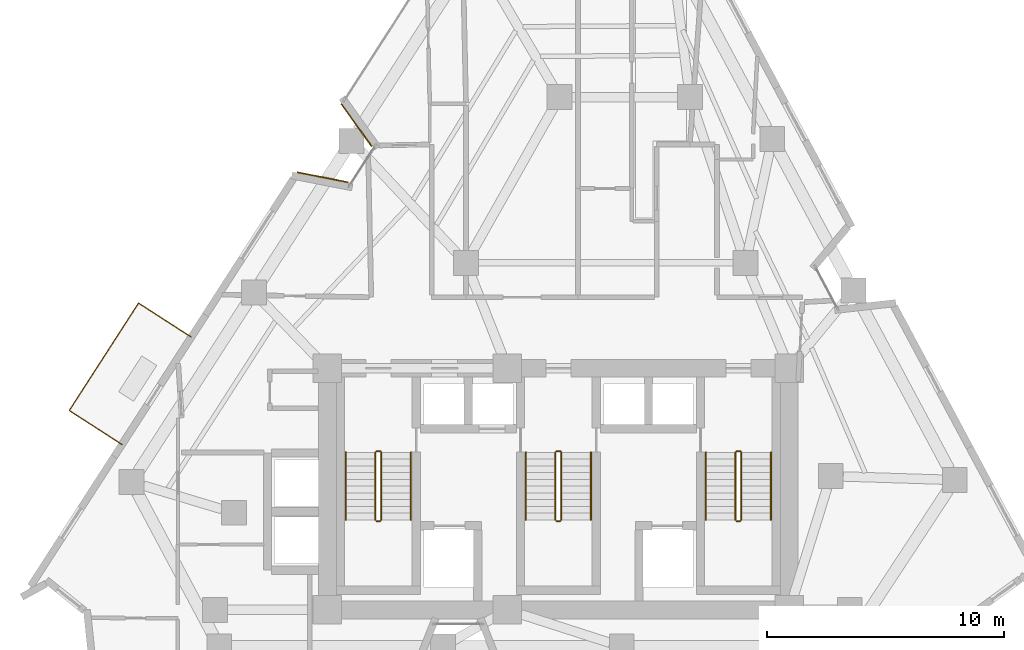
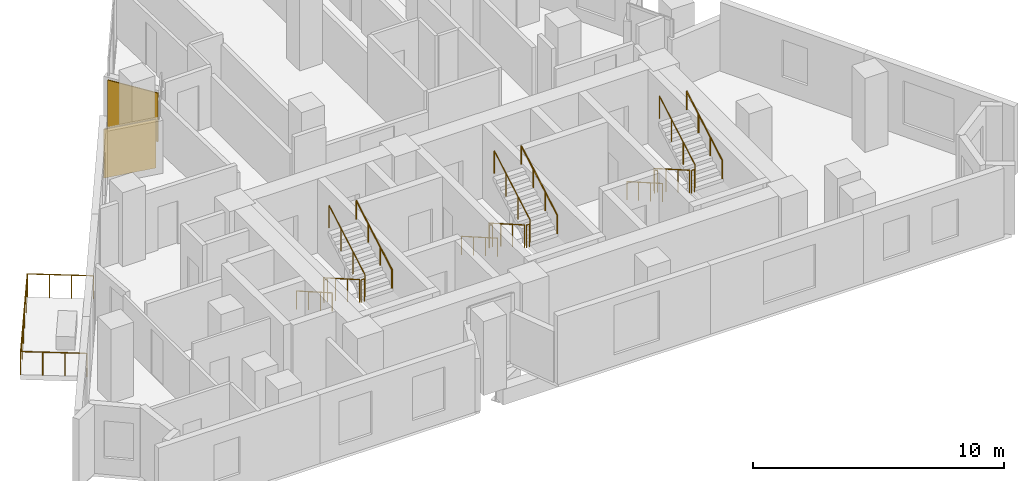
# One storey, part 10 of 11: 19 railings, 2 coverings.
"""IFC4 building model written with IfcOpenShell, lengths in metres."""

from ifc_helpers import new_model, si_unit, direction, frame, origin, origin_2d, place, context, subcontext, project, spatial, rectangle, circle, extrude, material, layer, layer_set, type_object, element, save


model = new_model("IFC4")

# Units and contexts
model_context = context("Model", 3, precision=1e-05, world=origin(), true_north=direction((0.0, 1.0)))
body_context = subcontext(model_context, "Body", "Model", "MODEL_VIEW")
ifc_project = project(units=[si_unit("LENGTHUNIT", "METRE"), si_unit("AREAUNIT", "SQUARE_METRE"), si_unit("VOLUMEUNIT", "CUBIC_METRE"), si_unit("PLANEANGLEUNIT", "RADIAN"), si_unit("MASSUNIT", "GRAM", prefix="KILO")], contexts=[model_context])

# Site, building, storey
site_placement = place(None, origin())
site = spatial("IfcSite", under=ifc_project, at=site_placement, CompositionType="ELEMENT")
building_placement = place(site_placement, origin())
building = spatial("IfcBuilding", under=site, at=building_placement, Name="Almagre Mirador Tower", CompositionType="ELEMENT")
storey_placement = place(building_placement, frame((0.0, 0.0, 178.800048828125)))
storey = spatial("IfcBuildingStorey", under=building, at=storey_placement, Name="L46", CompositionType="ELEMENT", Elevation=178.800048828125)

# Coverings
ifc_material_1 = material(Name="Almagre terracotta architectural cladding", Category="masonry")
ifc_layer = layer(ifc_material_1, 0.044921875)
ifc_layer_set = layer_set([ifc_layer], Name="Almagre terracotta architectural cladding")
covering_type = type_object("IfcCoveringType", Name="COV-CLAD-ALMAGRE", PredefinedType="CLADDING", material=ifc_layer_set)
covering_1_placement = place(storey_placement, frame((27.355224609375, 22.811279296875, 0.099853515625), z_axis=(0.0, 0.0, 1.0), x_axis=(0.981238863456, -0.192795987622, 0.0)))
element("IfcCovering", 1, at=covering_1_placement, inside=storey, type_object=covering_type, Name="L46 almagre terracotta pier cladding", PredefinedType="CLADDING", context=body_context, shape_type="SweptSolid", body=[
    extrude(rectangle(XDim=2.193115234375, YDim=0.044921875, at=origin_2d()), origin(), (0.0, 0.0, 1.0), 2.375),
])
covering_2_placement = place(storey_placement, frame((28.778076171875, 25.016845703125, 0.099853515625), z_axis=(0.0, 0.0, 1.0), x_axis=(-0.580475589131, 0.814277649468, 0.0)))
element("IfcCovering", 2, at=covering_2_placement, inside=storey, type_object=covering_type, Name="L46 almagre terracotta pier cladding", PredefinedType="CLADDING", context=body_context, shape_type="SweptSolid", body=[
    extrude(rectangle(XDim=2.194091796875, YDim=0.044921875, at=origin_2d()), origin(), (0.0, 0.0, 1.0), 2.375),
])

# Railings
ifc_material_2 = material(Name="Black anodized aluminium", Category="aluminium")
railing_type_1 = type_object("IfcRailingType", Name="RLG-BAL-1150", PredefinedType="BALUSTRADE", material=ifc_material_2)
railing_1_placement = place(storey_placement, frame((21.802978515625, 16.069091796875, 0.0)))
element("IfcRailing", 3, at=railing_1_placement, inside=storey, type_object=railing_type_1, Name="L46 west balcony balustrade 1", PredefinedType="BALUSTRADE", context=body_context, shape_type="SweptSolid", body=[
    extrude(circle(Radius=0.02392578125, at=origin_2d()), frame((0.0, 0.0, 1.1259765625), z_axis=(-0.840363006346, 0.542024000913, 0.0), x_axis=(-0.542024000913, -0.840363006346, 0.0)), (0.0, 0.0, 1.0), 2.64892578125),
    extrude(circle(Radius=0.02392578125, at=origin_2d()), frame((-2.22607421875, 1.435791015625, 1.1259765625), z_axis=(-0.542043453001, -0.840350459665, 0.0), x_axis=(0.840350459665, -0.542043453001, 0.0)), (0.0, 0.0, 1.0), 5.39990234375),
    extrude(circle(Radius=0.02392578125, at=origin_2d()), frame((-5.153076171875, -3.10205078125, 1.1259765625), z_axis=(0.840429304159, -0.54192119788, 0.0), x_axis=(0.54192119788, 0.840429304159, 0.0)), (0.0, 0.0, 1.0), 2.64990234375),
    extrude(circle(Radius=0.02099609375, at=origin_2d()), origin(), (0.0, 0.0, 1.0), 1.101806640625),
    extrude(circle(Radius=0.02099609375, at=origin_2d()), frame((-0.741943359375, 0.478515625, 0.0)), (0.0, 0.0, 1.0), 1.101806640625),
    extrude(circle(Radius=0.02099609375, at=origin_2d()), frame((-1.484130859375, 0.957275390625, 0.0)), (0.0, 0.0, 1.0), 1.101806640625),
    extrude(circle(Radius=0.02099609375, at=origin_2d()), frame((-2.22607421875, 1.435791015625, 0.0)), (0.0, 0.0, 1.0), 1.101806640625),
    extrude(circle(Radius=0.02099609375, at=origin_2d()), frame((-2.8115234375, 0.5283203125, 0.0)), (0.0, 0.0, 1.0), 1.101806640625),
    extrude(circle(Radius=0.02099609375, at=origin_2d()), frame((-3.39697265625, -0.37939453125, 0.0)), (0.0, 0.0, 1.0), 1.101806640625),
    extrude(circle(Radius=0.02099609375, at=origin_2d()), frame((-3.982177734375, -1.286865234375, 0.0)), (0.0, 0.0, 1.0), 1.101806640625),
    extrude(circle(Radius=0.02099609375, at=origin_2d()), frame((-4.567626953125, -2.194580078125, 0.0)), (0.0, 0.0, 1.0), 1.101806640625),
    extrude(circle(Radius=0.02099609375, at=origin_2d()), frame((-5.153076171875, -3.10205078125, 0.0)), (0.0, 0.0, 1.0), 1.101806640625),
    extrude(circle(Radius=0.02099609375, at=origin_2d()), frame((-4.41064453125, -3.580810546875, 0.0)), (0.0, 0.0, 1.0), 1.101806640625),
    extrude(circle(Radius=0.02099609375, at=origin_2d()), frame((-3.66845703125, -4.059326171875, 0.0)), (0.0, 0.0, 1.0), 1.101806640625),
    extrude(circle(Radius=0.02099609375, at=origin_2d()), frame((-2.926025390625, -4.5380859375, 0.0)), (0.0, 0.0, 1.0), 1.101806640625),
])
ifc_material_3 = material(Name="Painted galvanized steel", Category="steel")
railing_type_2 = type_object("IfcRailingType", Name="RLG-GRD-1100", PredefinedType="GUARDRAIL", material=ifc_material_3)
railing_2_placement = place(storey_placement, frame((29.574951171875, 11.199951171875, 0.16357421875)))
element("IfcRailing", 4, at=railing_2_placement, inside=storey, type_object=railing_type_2, Name="L46 ST-1 stair guard 1", PredefinedType="GUARDRAIL", context=body_context, shape_type="SweptSolid", body=[
    extrude(circle(Radius=0.02392578125, at=origin_2d()), frame((0.0, 0.0, 1.09619140625), z_axis=(0.0, -0.867194282975, 0.497969954491), x_axis=(1.0, 0.0, 0.0)), (0.0, 0.0, 1.0), 3.286376953125),
    extrude(circle(Radius=0.02099609375, at=origin_2d()), origin(), (0.0, 0.0, 1.0), 1.072021484375),
    extrude(circle(Radius=0.02099609375, at=origin_2d()), frame((0.0, -0.949951171875, 0.54541015625)), (0.0, 0.0, 1.0), 1.072021484375),
    extrude(circle(Radius=0.02099609375, at=origin_2d()), frame((0.0, -1.89990234375, 1.091064453125)), (0.0, 0.0, 1.0), 1.072021484375),
    extrude(circle(Radius=0.02099609375, at=origin_2d()), frame((0.0, -2.849853515625, 1.636474609375)), (0.0, 0.0, 1.0), 1.072021484375),
])
railing_3_placement = place(storey_placement, frame((29.625, 8.300048828125, 1.800048828125)))
element("IfcRailing", 5, at=railing_3_placement, inside=storey, type_object=railing_type_2, Name="L46 ST-1 stair guard 2", PredefinedType="GUARDRAIL", context=body_context, shape_type="SweptSolid", body=[
    extrude(circle(Radius=0.02392578125, at=origin_2d()), frame((0.0, 0.0, 1.09619140625), z_axis=(1.0, 0.0, 0.0), x_axis=(0.0, 1.0, 0.0)), (0.0, 0.0, 1.0), 0.14990234375),
    extrude(circle(Radius=0.02099609375, at=origin_2d()), origin(), (0.0, 0.0, 1.0), 1.072021484375),
    extrude(circle(Radius=0.02099609375, at=origin_2d()), frame((0.14990234375, 0.0, 0.0)), (0.0, 0.0, 1.0), 1.072021484375),
])
railing_4_placement = place(storey_placement, frame((29.824951171875, 8.35009765625, 1.963623046875)))
element("IfcRailing", 6, at=railing_4_placement, inside=storey, type_object=railing_type_2, Name="L46 ST-1 stair guard 3", PredefinedType="GUARDRAIL", context=body_context, shape_type="SweptSolid", body=[
    extrude(circle(Radius=0.02392578125, at=origin_2d()), frame((0.0, 0.0, 1.09619140625), z_axis=(0.0, 0.867226363773, 0.497914082927), x_axis=(-1.0, 0.0, 0.0)), (0.0, 0.0, 1.0), 3.2861328125),
    extrude(circle(Radius=0.02099609375, at=origin_2d()), origin(), (0.0, 0.0, 1.0), 1.072021484375),
    extrude(circle(Radius=0.02099609375, at=origin_2d()), frame((0.0, 0.949951171875, 0.54541015625)), (0.0, 0.0, 1.0), 1.072021484375),
    extrude(circle(Radius=0.02099609375, at=origin_2d()), frame((0.0, 1.89990234375, 1.0908203125)), (0.0, 0.0, 1.0), 1.072021484375),
    extrude(circle(Radius=0.02099609375, at=origin_2d()), frame((0.0, 2.849853515625, 1.63623046875)), (0.0, 0.0, 1.0), 1.072021484375),
])
railing_5_placement = place(storey_placement, frame((29.625, 11.25, 0.0)))
element("IfcRailing", 7, at=railing_5_placement, inside=storey, type_object=railing_type_2, Name="L46 ST-1 stair guard 4", PredefinedType="GUARDRAIL", context=body_context, shape_type="SweptSolid", body=[
    extrude(circle(Radius=0.02392578125, at=origin_2d()), frame((0.0, 0.0, 1.09619140625), z_axis=(1.0, 0.0, 0.0), x_axis=(0.0, 1.0, 0.0)), (0.0, 0.0, 1.0), 0.14990234375),
    extrude(circle(Radius=0.02099609375, at=origin_2d()), origin(), (0.0, 0.0, 1.0), 1.072021484375),
    extrude(circle(Radius=0.02099609375, at=origin_2d()), frame((0.14990234375, 0.0, 0.0)), (0.0, 0.0, 1.0), 1.072021484375),
])
railing_6_placement = place(storey_placement, frame((37.175048828125, 11.199951171875, 0.16357421875)))
element("IfcRailing", 8, at=railing_6_placement, inside=storey, type_object=railing_type_2, Name="L46 ST-2 stair guard 1", PredefinedType="GUARDRAIL", context=body_context, shape_type="SweptSolid", body=[
    extrude(circle(Radius=0.02392578125, at=origin_2d()), frame((0.0, 0.0, 1.09619140625), z_axis=(0.0, -0.867194282975, 0.497969954491), x_axis=(1.0, 0.0, 0.0)), (0.0, 0.0, 1.0), 3.286376953125),
    extrude(circle(Radius=0.02099609375, at=origin_2d()), origin(), (0.0, 0.0, 1.0), 1.072021484375),
    extrude(circle(Radius=0.02099609375, at=origin_2d()), frame((0.0, -0.949951171875, 0.54541015625)), (0.0, 0.0, 1.0), 1.072021484375),
    extrude(circle(Radius=0.02099609375, at=origin_2d()), frame((0.0, -1.89990234375, 1.091064453125)), (0.0, 0.0, 1.0), 1.072021484375),
    extrude(circle(Radius=0.02099609375, at=origin_2d()), frame((0.0, -2.849853515625, 1.636474609375)), (0.0, 0.0, 1.0), 1.072021484375),
])
railing_7_placement = place(storey_placement, frame((37.22509765625, 8.300048828125, 1.800048828125)))
element("IfcRailing", 9, at=railing_7_placement, inside=storey, type_object=railing_type_2, Name="L46 ST-2 stair guard 2", PredefinedType="GUARDRAIL", context=body_context, shape_type="SweptSolid", body=[
    extrude(circle(Radius=0.02392578125, at=origin_2d()), frame((0.0, 0.0, 1.09619140625), z_axis=(1.0, 0.0, 0.0), x_axis=(0.0, 1.0, 0.0)), (0.0, 0.0, 1.0), 0.14990234375),
    extrude(circle(Radius=0.02099609375, at=origin_2d()), origin(), (0.0, 0.0, 1.0), 1.072021484375),
    extrude(circle(Radius=0.02099609375, at=origin_2d()), frame((0.14990234375, 0.0, 0.0)), (0.0, 0.0, 1.0), 1.072021484375),
])
railing_8_placement = place(storey_placement, frame((37.425048828125, 8.35009765625, 1.963623046875)))
element("IfcRailing", 10, at=railing_8_placement, inside=storey, type_object=railing_type_2, Name="L46 ST-2 stair guard 3", PredefinedType="GUARDRAIL", context=body_context, shape_type="SweptSolid", body=[
    extrude(circle(Radius=0.02392578125, at=origin_2d()), frame((0.0, 0.0, 1.09619140625), z_axis=(0.0, 0.867226363773, 0.497914082927), x_axis=(-1.0, 0.0, 0.0)), (0.0, 0.0, 1.0), 3.2861328125),
    extrude(circle(Radius=0.02099609375, at=origin_2d()), origin(), (0.0, 0.0, 1.0), 1.072021484375),
    extrude(circle(Radius=0.02099609375, at=origin_2d()), frame((0.0, 0.949951171875, 0.54541015625)), (0.0, 0.0, 1.0), 1.072021484375),
    extrude(circle(Radius=0.02099609375, at=origin_2d()), frame((0.0, 1.89990234375, 1.0908203125)), (0.0, 0.0, 1.0), 1.072021484375),
    extrude(circle(Radius=0.02099609375, at=origin_2d()), frame((0.0, 2.849853515625, 1.63623046875)), (0.0, 0.0, 1.0), 1.072021484375),
])
railing_9_placement = place(storey_placement, frame((37.22509765625, 11.25, 0.0)))
element("IfcRailing", 11, at=railing_9_placement, inside=storey, type_object=railing_type_2, Name="L46 ST-2 stair guard 4", PredefinedType="GUARDRAIL", context=body_context, shape_type="SweptSolid", body=[
    extrude(circle(Radius=0.02392578125, at=origin_2d()), frame((0.0, 0.0, 1.09619140625), z_axis=(1.0, 0.0, 0.0), x_axis=(0.0, 1.0, 0.0)), (0.0, 0.0, 1.0), 0.14990234375),
    extrude(circle(Radius=0.02099609375, at=origin_2d()), origin(), (0.0, 0.0, 1.0), 1.072021484375),
    extrude(circle(Radius=0.02099609375, at=origin_2d()), frame((0.14990234375, 0.0, 0.0)), (0.0, 0.0, 1.0), 1.072021484375),
])
railing_10_placement = place(storey_placement, frame((44.77490234375, 11.199951171875, 0.16357421875)))
element("IfcRailing", 12, at=railing_10_placement, inside=storey, type_object=railing_type_2, Name="L46 ST-3 stair guard 1", PredefinedType="GUARDRAIL", context=body_context, shape_type="SweptSolid", body=[
    extrude(circle(Radius=0.02392578125, at=origin_2d()), frame((0.0, 0.0, 1.09619140625), z_axis=(0.0, -0.867194282975, 0.497969954491), x_axis=(1.0, 0.0, 0.0)), (0.0, 0.0, 1.0), 3.286376953125),
    extrude(circle(Radius=0.02099609375, at=origin_2d()), origin(), (0.0, 0.0, 1.0), 1.072021484375),
    extrude(circle(Radius=0.02099609375, at=origin_2d()), frame((0.0, -0.949951171875, 0.54541015625)), (0.0, 0.0, 1.0), 1.072021484375),
    extrude(circle(Radius=0.02099609375, at=origin_2d()), frame((0.0, -1.89990234375, 1.091064453125)), (0.0, 0.0, 1.0), 1.072021484375),
    extrude(circle(Radius=0.02099609375, at=origin_2d()), frame((0.0, -2.849853515625, 1.636474609375)), (0.0, 0.0, 1.0), 1.072021484375),
])
railing_11_placement = place(storey_placement, frame((44.824951171875, 8.300048828125, 1.800048828125)))
element("IfcRailing", 13, at=railing_11_placement, inside=storey, type_object=railing_type_2, Name="L46 ST-3 stair guard 2", PredefinedType="GUARDRAIL", context=body_context, shape_type="SweptSolid", body=[
    extrude(circle(Radius=0.02392578125, at=origin_2d()), frame((0.0, 0.0, 1.09619140625), z_axis=(1.0, 0.0, 0.0), x_axis=(0.0, 1.0, 0.0)), (0.0, 0.0, 1.0), 0.150146484375),
    extrude(circle(Radius=0.02099609375, at=origin_2d()), origin(), (0.0, 0.0, 1.0), 1.072021484375),
    extrude(circle(Radius=0.02099609375, at=origin_2d()), frame((0.150146484375, 0.0, 0.0)), (0.0, 0.0, 1.0), 1.072021484375),
])
railing_12_placement = place(storey_placement, frame((45.02490234375, 8.35009765625, 1.963623046875)))
element("IfcRailing", 14, at=railing_12_placement, inside=storey, type_object=railing_type_2, Name="L46 ST-3 stair guard 3", PredefinedType="GUARDRAIL", context=body_context, shape_type="SweptSolid", body=[
    extrude(circle(Radius=0.02392578125, at=origin_2d()), frame((0.0, 0.0, 1.09619140625), z_axis=(0.0, 0.867226363773, 0.497914082927), x_axis=(-1.0, 0.0, 0.0)), (0.0, 0.0, 1.0), 3.2861328125),
    extrude(circle(Radius=0.02099609375, at=origin_2d()), origin(), (0.0, 0.0, 1.0), 1.072021484375),
    extrude(circle(Radius=0.02099609375, at=origin_2d()), frame((0.0, 0.949951171875, 0.54541015625)), (0.0, 0.0, 1.0), 1.072021484375),
    extrude(circle(Radius=0.02099609375, at=origin_2d()), frame((0.0, 1.89990234375, 1.0908203125)), (0.0, 0.0, 1.0), 1.072021484375),
    extrude(circle(Radius=0.02099609375, at=origin_2d()), frame((0.0, 2.849853515625, 1.63623046875)), (0.0, 0.0, 1.0), 1.072021484375),
])
railing_13_placement = place(storey_placement, frame((44.824951171875, 11.25, 0.0)))
element("IfcRailing", 15, at=railing_13_placement, inside=storey, type_object=railing_type_2, Name="L46 ST-3 stair guard 4", PredefinedType="GUARDRAIL", context=body_context, shape_type="SweptSolid", body=[
    extrude(circle(Radius=0.02392578125, at=origin_2d()), frame((0.0, 0.0, 1.09619140625), z_axis=(1.0, 0.0, 0.0), x_axis=(0.0, 1.0, 0.0)), (0.0, 0.0, 1.0), 0.150146484375),
    extrude(circle(Radius=0.02099609375, at=origin_2d()), origin(), (0.0, 0.0, 1.0), 1.072021484375),
    extrude(circle(Radius=0.02099609375, at=origin_2d()), frame((0.150146484375, 0.0, 0.0)), (0.0, 0.0, 1.0), 1.072021484375),
])
ifc_material_4 = material(Name="Brushed stainless steel", Category="steel")
railing_type_3 = type_object("IfcRailingType", Name="RLG-HND-915", PredefinedType="HANDRAIL", material=ifc_material_4)
railing_14_placement = place(storey_placement, frame((28.324951171875, 11.199951171875, 0.16357421875)))
element("IfcRailing", 16, at=railing_14_placement, inside=storey, type_object=railing_type_3, Name="L46 ST-1 stair handrail 1", PredefinedType="HANDRAIL", context=body_context, shape_type="SweptSolid", body=[
    extrude(circle(Radius=0.02392578125, at=origin_2d()), frame((0.0, 0.0, 0.89111328125), z_axis=(0.0, -0.867194282975, 0.497969954491), x_axis=(1.0, 0.0, 0.0)), (0.0, 0.0, 1.0), 3.286376953125),
    extrude(circle(Radius=0.02099609375, at=origin_2d()), origin(), (0.0, 0.0, 1.0), 0.866943359375),
    extrude(circle(Radius=0.02099609375, at=origin_2d()), frame((0.0, -0.949951171875, 0.54541015625)), (0.0, 0.0, 1.0), 0.866943359375),
    extrude(circle(Radius=0.02099609375, at=origin_2d()), frame((0.0, -1.89990234375, 1.091064453125)), (0.0, 0.0, 1.0), 0.866943359375),
    extrude(circle(Radius=0.02099609375, at=origin_2d()), frame((0.0, -2.849853515625, 1.636474609375)), (0.0, 0.0, 1.0), 0.866943359375),
])
railing_15_placement = place(storey_placement, frame((31.074951171875, 8.35009765625, 1.963623046875)))
element("IfcRailing", 17, at=railing_15_placement, inside=storey, type_object=railing_type_3, Name="L46 ST-1 stair handrail 2", PredefinedType="HANDRAIL", context=body_context, shape_type="SweptSolid", body=[
    extrude(circle(Radius=0.02392578125, at=origin_2d()), frame((0.0, 0.0, 0.89111328125), z_axis=(0.0, 0.867226363773, 0.497914082927), x_axis=(-1.0, 0.0, 0.0)), (0.0, 0.0, 1.0), 3.2861328125),
    extrude(circle(Radius=0.02099609375, at=origin_2d()), origin(), (0.0, 0.0, 1.0), 0.866943359375),
    extrude(circle(Radius=0.02099609375, at=origin_2d()), frame((0.0, 0.949951171875, 0.54541015625)), (0.0, 0.0, 1.0), 0.866943359375),
    extrude(circle(Radius=0.02099609375, at=origin_2d()), frame((0.0, 1.89990234375, 1.0908203125)), (0.0, 0.0, 1.0), 0.866943359375),
    extrude(circle(Radius=0.02099609375, at=origin_2d()), frame((0.0, 2.849853515625, 1.63623046875)), (0.0, 0.0, 1.0), 0.866943359375),
])
railing_16_placement = place(storey_placement, frame((35.925048828125, 11.199951171875, 0.16357421875)))
element("IfcRailing", 18, at=railing_16_placement, inside=storey, type_object=railing_type_3, Name="L46 ST-2 stair handrail 1", PredefinedType="HANDRAIL", context=body_context, shape_type="SweptSolid", body=[
    extrude(circle(Radius=0.02392578125, at=origin_2d()), frame((0.0, 0.0, 0.89111328125), z_axis=(0.0, -0.867194282975, 0.497969954491), x_axis=(1.0, 0.0, 0.0)), (0.0, 0.0, 1.0), 3.286376953125),
    extrude(circle(Radius=0.02099609375, at=origin_2d()), origin(), (0.0, 0.0, 1.0), 0.866943359375),
    extrude(circle(Radius=0.02099609375, at=origin_2d()), frame((0.0, -0.949951171875, 0.54541015625)), (0.0, 0.0, 1.0), 0.866943359375),
    extrude(circle(Radius=0.02099609375, at=origin_2d()), frame((0.0, -1.89990234375, 1.091064453125)), (0.0, 0.0, 1.0), 0.866943359375),
    extrude(circle(Radius=0.02099609375, at=origin_2d()), frame((0.0, -2.849853515625, 1.636474609375)), (0.0, 0.0, 1.0), 0.866943359375),
])
railing_17_placement = place(storey_placement, frame((38.675048828125, 8.35009765625, 1.963623046875)))
element("IfcRailing", 19, at=railing_17_placement, inside=storey, type_object=railing_type_3, Name="L46 ST-2 stair handrail 2", PredefinedType="HANDRAIL", context=body_context, shape_type="SweptSolid", body=[
    extrude(circle(Radius=0.02392578125, at=origin_2d()), frame((0.0, 0.0, 0.89111328125), z_axis=(0.0, 0.867226363773, 0.497914082927), x_axis=(-1.0, 0.0, 0.0)), (0.0, 0.0, 1.0), 3.2861328125),
    extrude(circle(Radius=0.02099609375, at=origin_2d()), origin(), (0.0, 0.0, 1.0), 0.866943359375),
    extrude(circle(Radius=0.02099609375, at=origin_2d()), frame((0.0, 0.949951171875, 0.54541015625)), (0.0, 0.0, 1.0), 0.866943359375),
    extrude(circle(Radius=0.02099609375, at=origin_2d()), frame((0.0, 1.89990234375, 1.0908203125)), (0.0, 0.0, 1.0), 0.866943359375),
    extrude(circle(Radius=0.02099609375, at=origin_2d()), frame((0.0, 2.849853515625, 1.63623046875)), (0.0, 0.0, 1.0), 0.866943359375),
])
railing_18_placement = place(storey_placement, frame((43.52490234375, 11.199951171875, 0.16357421875)))
element("IfcRailing", 20, at=railing_18_placement, inside=storey, type_object=railing_type_3, Name="L46 ST-3 stair handrail 1", PredefinedType="HANDRAIL", context=body_context, shape_type="SweptSolid", body=[
    extrude(circle(Radius=0.02392578125, at=origin_2d()), frame((0.0, 0.0, 0.89111328125), z_axis=(0.0, -0.867194282975, 0.497969954491), x_axis=(1.0, 0.0, 0.0)), (0.0, 0.0, 1.0), 3.286376953125),
    extrude(circle(Radius=0.02099609375, at=origin_2d()), origin(), (0.0, 0.0, 1.0), 0.866943359375),
    extrude(circle(Radius=0.02099609375, at=origin_2d()), frame((0.0, -0.949951171875, 0.54541015625)), (0.0, 0.0, 1.0), 0.866943359375),
    extrude(circle(Radius=0.02099609375, at=origin_2d()), frame((0.0, -1.89990234375, 1.091064453125)), (0.0, 0.0, 1.0), 0.866943359375),
    extrude(circle(Radius=0.02099609375, at=origin_2d()), frame((0.0, -2.849853515625, 1.636474609375)), (0.0, 0.0, 1.0), 0.866943359375),
])
railing_19_placement = place(storey_placement, frame((46.27490234375, 8.35009765625, 1.963623046875)))
element("IfcRailing", 21, at=railing_19_placement, inside=storey, type_object=railing_type_3, Name="L46 ST-3 stair handrail 2", PredefinedType="HANDRAIL", context=body_context, shape_type="SweptSolid", body=[
    extrude(circle(Radius=0.02392578125, at=origin_2d()), frame((0.0, 0.0, 0.89111328125), z_axis=(0.0, 0.867226363773, 0.497914082927), x_axis=(-1.0, 0.0, 0.0)), (0.0, 0.0, 1.0), 3.2861328125),
    extrude(circle(Radius=0.02099609375, at=origin_2d()), origin(), (0.0, 0.0, 1.0), 0.866943359375),
    extrude(circle(Radius=0.02099609375, at=origin_2d()), frame((0.0, 0.949951171875, 0.54541015625)), (0.0, 0.0, 1.0), 0.866943359375),
    extrude(circle(Radius=0.02099609375, at=origin_2d()), frame((0.0, 1.89990234375, 1.0908203125)), (0.0, 0.0, 1.0), 0.866943359375),
    extrude(circle(Radius=0.02099609375, at=origin_2d()), frame((0.0, 2.849853515625, 1.63623046875)), (0.0, 0.0, 1.0), 0.866943359375),
])

save(model, "model.ifc")
